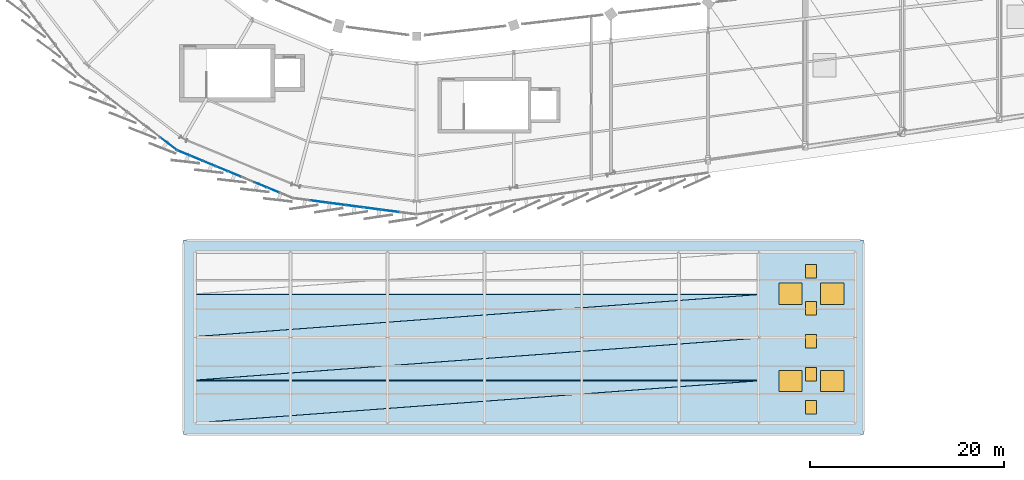
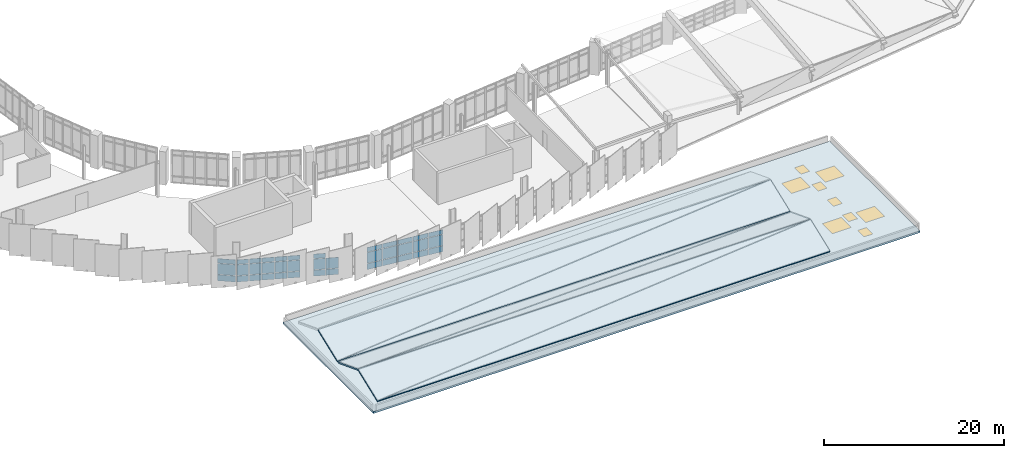
# One storey, part 45 of 67: 38 plates, 7 slabs, 5 doors, 4 windows, 9 openings, 3 elements without a shape of their own.
"""IFC4 building model written with IfcOpenShell, lengths in metres."""

from ifc_helpers import new_model, si_unit, direction, frame, origin, origin_2d, place, context, subcontext, project, spatial, polyline, rectangle, outline, extrude, material, layer, layer_set, type_object, element, fill, aggregate, save


model = new_model("IFC4")

# Units and contexts
model_context = context("Model", 3, precision=1e-05, world=origin(), true_north=direction((0.0, 1.0)))
body_context = subcontext(model_context, "Body", "Model", "MODEL_VIEW")
ifc_project = project(units=[si_unit("LENGTHUNIT", "METRE"), si_unit("AREAUNIT", "SQUARE_METRE"), si_unit("VOLUMEUNIT", "CUBIC_METRE"), si_unit("PLANEANGLEUNIT", "RADIAN"), si_unit("MASSUNIT", "GRAM", prefix="KILO")], contexts=[model_context])

# Site, building, storey
site_placement = place(None, origin())
site = spatial("IfcSite", under=ifc_project, at=site_placement, CompositionType="ELEMENT")
building_placement = place(site_placement, origin())
building = spatial("IfcBuilding", under=site, at=building_placement, Name="Sohan Crest Arena", CompositionType="ELEMENT")
storey_placement = place(building_placement, frame((0.0, 0.0, 22.5)))
storey = spatial("IfcBuildingStorey", under=building, at=storey_placement, Name="L05", CompositionType="ELEMENT", Elevation=22.5)

# Curtain wall, plates
ifc_material_1 = material(Name="Thermally broken anodised aluminium", Category="aluminium")
ifc_layer_1 = layer(ifc_material_1, 0.239990234375, Name="Thermally broken anodised aluminium")
ifc_layer_set_1 = layer_set([ifc_layer_1], Name="Thermally broken anodised aluminium")
curtain_wall_type_1 = type_object("IfcCurtainWallType", Name="ARC-CW04", PredefinedType="NOTDEFINED", material=ifc_layer_set_1)
curtain_wall_1_placement = place(storey_placement, origin())
curtain_wall_1 = element("IfcCurtainWall", 1, at=curtain_wall_1_placement, inside=storey, type_object=curtain_wall_type_1, Name="Unitised curtain wall CW-155", PredefinedType="NOTDEFINED")
ifc_material_2 = material(Name="Low-E double-glazed insulated glass", Category="glass")
ifc_layer_2 = layer(ifc_material_2, 0.031982421875, Name="Low-E double-glazed insulated glass")
ifc_layer_set_2 = layer_set([ifc_layer_2], Name="Low-E double-glazed insulated glass")
plate_type_1 = type_object("IfcPlateType", Name="ARC-CNP02", PredefinedType="CURTAIN_PANEL", material=ifc_layer_set_2)
plate_1_placement = place(storey_placement, frame((72.46044921875, 35.92529296875, 0.06005859375), z_axis=(0.0, 0.0, 1.0), x_axis=(0.793385172815, -0.60871994181, 0.0)))
plate_1 = element("IfcPlate", 2, at=plate_1_placement, type_object=plate_type_1, Name="CW-155 panel 6.1", PredefinedType="CURTAIN_PANEL", context=body_context, shape_type="SweptSolid", body=[
    extrude(rectangle(XDim=2.049560546875, YDim=0.031982421875, at=origin_2d()), origin(), (0.0, 0.0, 1.0), 0.81005859375),
])
plate_2_placement = place(storey_placement, frame((72.46044921875, 35.92529296875, 0.929931640625), z_axis=(0.0, 0.0, 1.0), x_axis=(0.793385172815, -0.60871994181, 0.0)))
plate_2 = element("IfcPlate", 3, at=plate_2_placement, type_object=plate_type_1, Name="CW-155 panel 6.2", PredefinedType="CURTAIN_PANEL", context=body_context, shape_type="SweptSolid", body=[
    extrude(rectangle(XDim=2.049560546875, YDim=0.031982421875, at=origin_2d()), origin(), (0.0, 0.0, 1.0), 1.4599609375),
])
plate_3_placement = place(storey_placement, frame((72.46044921875, 35.92529296875, 2.44970703125), z_axis=(0.0, 0.0, 1.0), x_axis=(0.793385172815, -0.60871994181, 0.0)))
plate_3 = element("IfcPlate", 4, at=plate_3_placement, type_object=plate_type_1, Name="CW-155 panel 6.3", PredefinedType="CURTAIN_PANEL", context=body_context, shape_type="SweptSolid", body=[
    extrude(rectangle(XDim=2.049560546875, YDim=0.031982421875, at=origin_2d()), origin(), (0.0, 0.0, 1.0), 0.610107421875),
])
aggregate(curtain_wall_1, [plate_1, plate_2, plate_3])

ifc_layer_3 = layer(ifc_material_1, 0.18994140625, Name="Thermally broken anodised aluminium")
ifc_layer_set_3 = layer_set([ifc_layer_3], Name="Thermally broken anodised aluminium")
curtain_wall_type_2 = type_object("IfcCurtainWallType", Name="ARC-CW05", PredefinedType="NOTDEFINED", material=ifc_layer_set_3)
curtain_wall_2_placement = place(storey_placement, origin())
curtain_wall_2 = element("IfcCurtainWall", 5, at=curtain_wall_2_placement, inside=storey, type_object=curtain_wall_type_2, Name="Unitised curtain wall CW-156", PredefinedType="NOTDEFINED")
ifc_material_3 = material(Name="Ceramic-fritted solar-control insulated glass", Category="glass")
ifc_layer_4 = layer(ifc_material_3, 0.035888671875, Name="Ceramic-fritted solar-control insulated glass")
ifc_layer_set_4 = layer_set([ifc_layer_4], Name="Ceramic-fritted solar-control insulated glass")
plate_type_2 = type_object("IfcPlateType", Name="ARC-CNP03", PredefinedType="CURTAIN_PANEL", material=ifc_layer_set_4)
plate_4_placement = place(storey_placement, frame((74.00244140625, 34.9814453125, 0.06494140625), z_axis=(0.0, 0.0, 1.0), x_axis=(0.923878704229, -0.382685432009, 0.0)))
plate_4 = element("IfcPlate", 6, at=plate_4_placement, type_object=plate_type_2, Name="CW-156 panel 1.1", PredefinedType="CURTAIN_PANEL", context=body_context, shape_type="SweptSolid", body=[
    extrude(rectangle(XDim=1.326416015625, YDim=0.035888671875, at=origin_2d()), origin(), (0.0, 0.0, 1.0), 0.802490234375),
])
plate_5_placement = place(storey_placement, frame((74.00244140625, 34.9814453125, 0.932373046875), z_axis=(0.0, 0.0, 1.0), x_axis=(0.923878704229, -0.382685432009, 0.0)))
plate_5 = element("IfcPlate", 7, at=plate_5_placement, type_object=plate_type_2, Name="CW-156 panel 1.2", PredefinedType="CURTAIN_PANEL", context=body_context, shape_type="SweptSolid", body=[
    extrude(rectangle(XDim=1.326416015625, YDim=0.035888671875, at=origin_2d()), origin(), (0.0, 0.0, 1.0), 1.455078125),
])
plate_6_placement = place(storey_placement, frame((74.00244140625, 34.9814453125, 2.452392578125), z_axis=(0.0, 0.0, 1.0), x_axis=(0.923878704229, -0.382685432009, 0.0)))
plate_6 = element("IfcPlate", 8, at=plate_6_placement, type_object=plate_type_2, Name="CW-156 panel 1.3", PredefinedType="CURTAIN_PANEL", context=body_context, shape_type="SweptSolid", body=[
    extrude(rectangle(XDim=1.326416015625, YDim=0.035888671875, at=origin_2d()), origin(), (0.0, 0.0, 1.0), 0.6025390625),
])
plate_7_placement = place(storey_placement, frame((75.30859375, 34.4404296875, 0.06494140625), z_axis=(0.0, 0.0, 1.0), x_axis=(0.923878704229, -0.382685432009, 0.0)))
plate_7 = element("IfcPlate", 9, at=plate_7_placement, type_object=plate_type_2, Name="CW-156 panel 2.1", PredefinedType="CURTAIN_PANEL", context=body_context, shape_type="SweptSolid", body=[
    extrude(rectangle(XDim=1.361328125, YDim=0.035888671875, at=origin_2d()), origin(), (0.0, 0.0, 1.0), 0.802490234375),
])
plate_8_placement = place(storey_placement, frame((75.30859375, 34.4404296875, 0.932373046875), z_axis=(0.0, 0.0, 1.0), x_axis=(0.923878704229, -0.382685432009, 0.0)))
plate_8 = element("IfcPlate", 10, at=plate_8_placement, type_object=plate_type_2, Name="CW-156 panel 2.2", PredefinedType="CURTAIN_PANEL", context=body_context, shape_type="SweptSolid", body=[
    extrude(rectangle(XDim=1.361328125, YDim=0.035888671875, at=origin_2d()), origin(), (0.0, 0.0, 1.0), 1.455078125),
])
plate_9_placement = place(storey_placement, frame((75.30859375, 34.4404296875, 2.452392578125), z_axis=(0.0, 0.0, 1.0), x_axis=(0.923878704229, -0.382685432009, 0.0)))
plate_9 = element("IfcPlate", 11, at=plate_9_placement, type_object=plate_type_2, Name="CW-156 panel 2.3", PredefinedType="CURTAIN_PANEL", context=body_context, shape_type="SweptSolid", body=[
    extrude(rectangle(XDim=1.361328125, YDim=0.035888671875, at=origin_2d()), origin(), (0.0, 0.0, 1.0), 0.6025390625),
])
plate_10_placement = place(storey_placement, frame((76.631103515625, 33.892578125, 0.06494140625), z_axis=(0.0, 0.0, 1.0), x_axis=(0.923878704229, -0.382685432009, 0.0)))
plate_10 = element("IfcPlate", 12, at=plate_10_placement, type_object=plate_type_2, Name="CW-156 panel 3.1", PredefinedType="CURTAIN_PANEL", context=body_context, shape_type="SweptSolid", body=[
    extrude(rectangle(XDim=1.361328125, YDim=0.035888671875, at=origin_2d()), origin(), (0.0, 0.0, 1.0), 0.802490234375),
])
plate_11_placement = place(storey_placement, frame((76.631103515625, 33.892578125, 0.932373046875), z_axis=(0.0, 0.0, 1.0), x_axis=(0.923878704229, -0.382685432009, 0.0)))
plate_11 = element("IfcPlate", 13, at=plate_11_placement, type_object=plate_type_2, Name="CW-156 panel 3.2", PredefinedType="CURTAIN_PANEL", context=body_context, shape_type="SweptSolid", body=[
    extrude(rectangle(XDim=1.361328125, YDim=0.035888671875, at=origin_2d()), origin(), (0.0, 0.0, 1.0), 1.455078125),
])
plate_12_placement = place(storey_placement, frame((76.631103515625, 33.892578125, 2.452392578125), z_axis=(0.0, 0.0, 1.0), x_axis=(0.923878704229, -0.382685432009, 0.0)))
plate_12 = element("IfcPlate", 14, at=plate_12_placement, type_object=plate_type_2, Name="CW-156 panel 3.3", PredefinedType="CURTAIN_PANEL", context=body_context, shape_type="SweptSolid", body=[
    extrude(rectangle(XDim=1.361328125, YDim=0.035888671875, at=origin_2d()), origin(), (0.0, 0.0, 1.0), 0.6025390625),
])
plate_13_placement = place(storey_placement, frame((77.95361328125, 33.3447265625, 0.06494140625), z_axis=(0.0, 0.0, 1.0), x_axis=(0.923878704229, -0.382685432009, 0.0)))
plate_13 = element("IfcPlate", 15, at=plate_13_placement, type_object=plate_type_2, Name="CW-156 panel 4.1", PredefinedType="CURTAIN_PANEL", context=body_context, shape_type="SweptSolid", body=[
    extrude(rectangle(XDim=1.361328125, YDim=0.035888671875, at=origin_2d()), origin(), (0.0, 0.0, 1.0), 0.802490234375),
])
plate_14_placement = place(storey_placement, frame((77.95361328125, 33.3447265625, 0.932373046875), z_axis=(0.0, 0.0, 1.0), x_axis=(0.923878704229, -0.382685432009, 0.0)))
plate_14 = element("IfcPlate", 16, at=plate_14_placement, type_object=plate_type_2, Name="CW-156 panel 4.2", PredefinedType="CURTAIN_PANEL", context=body_context, shape_type="SweptSolid", body=[
    extrude(rectangle(XDim=1.361328125, YDim=0.035888671875, at=origin_2d()), origin(), (0.0, 0.0, 1.0), 1.455078125),
])
plate_15_placement = place(storey_placement, frame((77.95361328125, 33.3447265625, 2.452392578125), z_axis=(0.0, 0.0, 1.0), x_axis=(0.923878704229, -0.382685432009, 0.0)))
plate_15 = element("IfcPlate", 17, at=plate_15_placement, type_object=plate_type_2, Name="CW-156 panel 4.3", PredefinedType="CURTAIN_PANEL", context=body_context, shape_type="SweptSolid", body=[
    extrude(rectangle(XDim=1.361328125, YDim=0.035888671875, at=origin_2d()), origin(), (0.0, 0.0, 1.0), 0.6025390625),
])
plate_16_placement = place(storey_placement, frame((79.27587890625, 32.797119140625, 0.06494140625), z_axis=(0.0, 0.0, 1.0), x_axis=(0.923878704229, -0.382685432009, 0.0)))
plate_16 = element("IfcPlate", 18, at=plate_16_placement, type_object=plate_type_2, Name="CW-156 panel 5.1", PredefinedType="CURTAIN_PANEL", context=body_context, shape_type="SweptSolid", body=[
    extrude(rectangle(XDim=1.361328125, YDim=0.035888671875, at=origin_2d()), origin(), (0.0, 0.0, 1.0), 0.802490234375),
])
plate_17_placement = place(storey_placement, frame((79.27587890625, 32.797119140625, 0.932373046875), z_axis=(0.0, 0.0, 1.0), x_axis=(0.923878704229, -0.382685432009, 0.0)))
plate_17 = element("IfcPlate", 19, at=plate_17_placement, type_object=plate_type_2, Name="CW-156 panel 5.2", PredefinedType="CURTAIN_PANEL", context=body_context, shape_type="SweptSolid", body=[
    extrude(rectangle(XDim=1.361328125, YDim=0.035888671875, at=origin_2d()), origin(), (0.0, 0.0, 1.0), 1.455078125),
])
plate_18_placement = place(storey_placement, frame((79.27587890625, 32.797119140625, 2.452392578125), z_axis=(0.0, 0.0, 1.0), x_axis=(0.923878704229, -0.382685432009, 0.0)))
plate_18 = element("IfcPlate", 20, at=plate_18_placement, type_object=plate_type_2, Name="CW-156 panel 5.3", PredefinedType="CURTAIN_PANEL", context=body_context, shape_type="SweptSolid", body=[
    extrude(rectangle(XDim=1.361328125, YDim=0.035888671875, at=origin_2d()), origin(), (0.0, 0.0, 1.0), 0.6025390625),
])
plate_19_placement = place(storey_placement, frame((81.9208984375, 31.701416015625, 0.06494140625), z_axis=(0.0, 0.0, 1.0), x_axis=(0.923878704229, -0.382685432009, 0.0)))
plate_19 = element("IfcPlate", 21, at=plate_19_placement, type_object=plate_type_2, Name="CW-156 panel 7.1", PredefinedType="CURTAIN_PANEL", context=body_context, shape_type="SweptSolid", body=[
    extrude(rectangle(XDim=1.361328125, YDim=0.035888671875, at=origin_2d()), origin(), (0.0, 0.0, 1.0), 0.802490234375),
])
plate_20_placement = place(storey_placement, frame((81.9208984375, 31.701416015625, 0.932373046875), z_axis=(0.0, 0.0, 1.0), x_axis=(0.923878704229, -0.382685432009, 0.0)))
plate_20 = element("IfcPlate", 22, at=plate_20_placement, type_object=plate_type_2, Name="CW-156 panel 7.2", PredefinedType="CURTAIN_PANEL", context=body_context, shape_type="SweptSolid", body=[
    extrude(rectangle(XDim=1.361328125, YDim=0.035888671875, at=origin_2d()), origin(), (0.0, 0.0, 1.0), 1.455078125),
])
plate_21_placement = place(storey_placement, frame((81.9208984375, 31.701416015625, 2.452392578125), z_axis=(0.0, 0.0, 1.0), x_axis=(0.923878704229, -0.382685432009, 0.0)))
plate_21 = element("IfcPlate", 23, at=plate_21_placement, type_object=plate_type_2, Name="CW-156 panel 7.3", PredefinedType="CURTAIN_PANEL", context=body_context, shape_type="SweptSolid", body=[
    extrude(rectangle(XDim=1.361328125, YDim=0.035888671875, at=origin_2d()), origin(), (0.0, 0.0, 1.0), 0.6025390625),
])
plate_22_placement = place(storey_placement, frame((83.243408203125, 31.153564453125, 0.06494140625), z_axis=(0.0, 0.0, 1.0), x_axis=(0.923878704229, -0.382685432009, 0.0)))
plate_22 = element("IfcPlate", 24, at=plate_22_placement, type_object=plate_type_2, Name="CW-156 panel 8.1", PredefinedType="CURTAIN_PANEL", context=body_context, shape_type="SweptSolid", body=[
    extrude(rectangle(XDim=1.361328125, YDim=0.035888671875, at=origin_2d()), origin(), (0.0, 0.0, 1.0), 0.802490234375),
])
plate_23_placement = place(storey_placement, frame((83.243408203125, 31.153564453125, 0.932373046875), z_axis=(0.0, 0.0, 1.0), x_axis=(0.923878704229, -0.382685432009, 0.0)))
plate_23 = element("IfcPlate", 25, at=plate_23_placement, type_object=plate_type_2, Name="CW-156 panel 8.2", PredefinedType="CURTAIN_PANEL", context=body_context, shape_type="SweptSolid", body=[
    extrude(rectangle(XDim=1.361328125, YDim=0.035888671875, at=origin_2d()), origin(), (0.0, 0.0, 1.0), 1.455078125),
])
aggregate(curtain_wall_2, [plate_4, plate_5, plate_6, plate_7, plate_8, plate_9, plate_10, plate_11, plate_12, plate_13, plate_14, plate_15, plate_16, plate_17, plate_18, plate_19, plate_20, plate_21, plate_22, plate_23])

ifc_layer_5 = layer(ifc_material_1, 0.2099609375, Name="Thermally broken anodised aluminium")
ifc_layer_set_5 = layer_set([ifc_layer_5], Name="Thermally broken anodised aluminium")
curtain_wall_type_3 = type_object("IfcCurtainWallType", Name="ARC-CW06", PredefinedType="NOTDEFINED", material=ifc_layer_set_5)
curtain_wall_3_placement = place(storey_placement, origin())
curtain_wall_3 = element("IfcCurtainWall", 26, at=curtain_wall_3_placement, inside=storey, type_object=curtain_wall_type_3, Name="Unitised curtain wall CW-157", PredefinedType="NOTDEFINED")
ifc_material_4 = material(Name="Insulated polychrome ceramic spandrel panel", Category="masonry")
ifc_layer_6 = layer(ifc_material_4, 0.0419921875, Name="Insulated polychrome ceramic spandrel panel")
ifc_layer_set_6 = layer_set([ifc_layer_6], Name="Insulated polychrome ceramic spandrel panel")
plate_type_3 = type_object("IfcPlateType", Name="ARC-CNP04", PredefinedType="CURTAIN_PANEL", material=ifc_layer_set_6)
plate_24_placement = place(storey_placement, frame((87.964111328125, 29.9716796875, 0.070068359375), z_axis=(0.0, 0.0, 1.0), x_axis=(0.991440816386, -0.130556913275, 0.0)))
plate_24 = element("IfcPlate", 27, at=plate_24_placement, type_object=plate_type_3, Name="CW-157 panel 2.1", PredefinedType="CURTAIN_PANEL", context=body_context, shape_type="SweptSolid", body=[
    extrude(rectangle(XDim=1.765380859375, YDim=0.0419921875, at=origin_2d()), origin(), (0.0, 0.0, 1.0), 0.794921875),
])
plate_25_placement = place(storey_placement, frame((87.964111328125, 29.9716796875, 0.93505859375), z_axis=(0.0, 0.0, 1.0), x_axis=(0.991440816386, -0.130556913275, 0.0)))
plate_25 = element("IfcPlate", 28, at=plate_25_placement, type_object=plate_type_3, Name="CW-157 panel 2.2", PredefinedType="CURTAIN_PANEL", context=body_context, shape_type="SweptSolid", body=[
    extrude(rectangle(XDim=1.765380859375, YDim=0.0419921875, at=origin_2d()), origin(), (0.0, 0.0, 1.0), 1.449951171875),
])
plate_26_placement = place(storey_placement, frame((87.964111328125, 29.9716796875, 2.455078125), z_axis=(0.0, 0.0, 1.0), x_axis=(0.991440816386, -0.130556913275, 0.0)))
plate_26 = element("IfcPlate", 29, at=plate_26_placement, type_object=plate_type_3, Name="CW-157 panel 2.3", PredefinedType="CURTAIN_PANEL", context=body_context, shape_type="SweptSolid", body=[
    extrude(rectangle(XDim=1.765380859375, YDim=0.0419921875, at=origin_2d()), origin(), (0.0, 0.0, 1.0), 0.594970703125),
])
plate_27_placement = place(storey_placement, frame((89.788818359375, 29.731201171875, 0.070068359375), z_axis=(0.0, 0.0, 1.0), x_axis=(0.991440816386, -0.130556913275, 0.0)))
plate_27 = element("IfcPlate", 30, at=plate_27_placement, type_object=plate_type_3, Name="CW-157 panel 3.1", PredefinedType="CURTAIN_PANEL", context=body_context, shape_type="SweptSolid", body=[
    extrude(rectangle(XDim=1.765380859375, YDim=0.0419921875, at=origin_2d()), origin(), (0.0, 0.0, 1.0), 0.794921875),
])
plate_28_placement = place(storey_placement, frame((89.788818359375, 29.731201171875, 0.93505859375), z_axis=(0.0, 0.0, 1.0), x_axis=(0.991440816386, -0.130556913275, 0.0)))
plate_28 = element("IfcPlate", 31, at=plate_28_placement, type_object=plate_type_3, Name="CW-157 panel 3.2", PredefinedType="CURTAIN_PANEL", context=body_context, shape_type="SweptSolid", body=[
    extrude(rectangle(XDim=1.765380859375, YDim=0.0419921875, at=origin_2d()), origin(), (0.0, 0.0, 1.0), 1.449951171875),
])
plate_29_placement = place(storey_placement, frame((89.788818359375, 29.731201171875, 2.455078125), z_axis=(0.0, 0.0, 1.0), x_axis=(0.991440816386, -0.130556913275, 0.0)))
plate_29 = element("IfcPlate", 32, at=plate_29_placement, type_object=plate_type_3, Name="CW-157 panel 3.3", PredefinedType="CURTAIN_PANEL", context=body_context, shape_type="SweptSolid", body=[
    extrude(rectangle(XDim=1.765380859375, YDim=0.0419921875, at=origin_2d()), origin(), (0.0, 0.0, 1.0), 0.594970703125),
])
plate_30_placement = place(storey_placement, frame((91.613525390625, 29.490966796875, 0.070068359375), z_axis=(0.0, 0.0, 1.0), x_axis=(0.991440816386, -0.130556913275, 0.0)))
plate_30 = element("IfcPlate", 33, at=plate_30_placement, type_object=plate_type_3, Name="CW-157 panel 4.1", PredefinedType="CURTAIN_PANEL", context=body_context, shape_type="SweptSolid", body=[
    extrude(rectangle(XDim=1.765380859375, YDim=0.0419921875, at=origin_2d()), origin(), (0.0, 0.0, 1.0), 0.794921875),
])
plate_31_placement = place(storey_placement, frame((91.613525390625, 29.490966796875, 0.93505859375), z_axis=(0.0, 0.0, 1.0), x_axis=(0.991440816386, -0.130556913275, 0.0)))
plate_31 = element("IfcPlate", 34, at=plate_31_placement, type_object=plate_type_3, Name="CW-157 panel 4.2", PredefinedType="CURTAIN_PANEL", context=body_context, shape_type="SweptSolid", body=[
    extrude(rectangle(XDim=1.765380859375, YDim=0.0419921875, at=origin_2d()), origin(), (0.0, 0.0, 1.0), 1.449951171875),
])
plate_32_placement = place(storey_placement, frame((91.613525390625, 29.490966796875, 2.455078125), z_axis=(0.0, 0.0, 1.0), x_axis=(0.991440816386, -0.130556913275, 0.0)))
plate_32 = element("IfcPlate", 35, at=plate_32_placement, type_object=plate_type_3, Name="CW-157 panel 4.3", PredefinedType="CURTAIN_PANEL", context=body_context, shape_type="SweptSolid", body=[
    extrude(rectangle(XDim=1.765380859375, YDim=0.0419921875, at=origin_2d()), origin(), (0.0, 0.0, 1.0), 0.594970703125),
])
plate_33_placement = place(storey_placement, frame((93.438232421875, 29.250732421875, 0.070068359375), z_axis=(0.0, 0.0, 1.0), x_axis=(0.991440816386, -0.130556913275, 0.0)))
plate_33 = element("IfcPlate", 36, at=plate_33_placement, type_object=plate_type_3, Name="CW-157 panel 5.1", PredefinedType="CURTAIN_PANEL", context=body_context, shape_type="SweptSolid", body=[
    extrude(rectangle(XDim=1.765380859375, YDim=0.0419921875, at=origin_2d()), origin(), (0.0, 0.0, 1.0), 0.794921875),
])
plate_34_placement = place(storey_placement, frame((93.438232421875, 29.250732421875, 0.93505859375), z_axis=(0.0, 0.0, 1.0), x_axis=(0.991440816386, -0.130556913275, 0.0)))
plate_34 = element("IfcPlate", 37, at=plate_34_placement, type_object=plate_type_3, Name="CW-157 panel 5.2", PredefinedType="CURTAIN_PANEL", context=body_context, shape_type="SweptSolid", body=[
    extrude(rectangle(XDim=1.765380859375, YDim=0.0419921875, at=origin_2d()), origin(), (0.0, 0.0, 1.0), 1.449951171875),
])
plate_35_placement = place(storey_placement, frame((93.438232421875, 29.250732421875, 2.455078125), z_axis=(0.0, 0.0, 1.0), x_axis=(0.991440816386, -0.130556913275, 0.0)))
plate_35 = element("IfcPlate", 38, at=plate_35_placement, type_object=plate_type_3, Name="CW-157 panel 5.3", PredefinedType="CURTAIN_PANEL", context=body_context, shape_type="SweptSolid", body=[
    extrude(rectangle(XDim=1.765380859375, YDim=0.0419921875, at=origin_2d()), origin(), (0.0, 0.0, 1.0), 0.594970703125),
])
plate_36_placement = place(storey_placement, frame((95.262939453125, 29.010498046875, 0.070068359375), z_axis=(0.0, 0.0, 1.0), x_axis=(0.991440816386, -0.130556913275, 0.0)))
plate_36 = element("IfcPlate", 39, at=plate_36_placement, type_object=plate_type_3, Name="CW-157 panel 6.1", PredefinedType="CURTAIN_PANEL", context=body_context, shape_type="SweptSolid", body=[
    extrude(rectangle(XDim=1.765380859375, YDim=0.0419921875, at=origin_2d()), origin(), (0.0, 0.0, 1.0), 0.794921875),
])
plate_37_placement = place(storey_placement, frame((95.262939453125, 29.010498046875, 0.93505859375), z_axis=(0.0, 0.0, 1.0), x_axis=(0.991440816386, -0.130556913275, 0.0)))
plate_37 = element("IfcPlate", 40, at=plate_37_placement, type_object=plate_type_3, Name="CW-157 panel 6.2", PredefinedType="CURTAIN_PANEL", context=body_context, shape_type="SweptSolid", body=[
    extrude(rectangle(XDim=1.765380859375, YDim=0.0419921875, at=origin_2d()), origin(), (0.0, 0.0, 1.0), 1.449951171875),
])
plate_38_placement = place(storey_placement, frame((95.262939453125, 29.010498046875, 2.455078125), z_axis=(0.0, 0.0, 1.0), x_axis=(0.991440816386, -0.130556913275, 0.0)))
plate_38 = element("IfcPlate", 41, at=plate_38_placement, type_object=plate_type_3, Name="CW-157 panel 6.3", PredefinedType="CURTAIN_PANEL", context=body_context, shape_type="SweptSolid", body=[
    extrude(rectangle(XDim=1.765380859375, YDim=0.0419921875, at=origin_2d()), origin(), (0.0, 0.0, 1.0), 0.594970703125),
])
aggregate(curtain_wall_3, [plate_24, plate_25, plate_26, plate_27, plate_28, plate_29, plate_30, plate_31, plate_32, plate_33, plate_34, plate_35, plate_36, plate_37, plate_38])

# Slabs
ifc_material_5 = material(Name="Concrete C40/50", Category="concrete")
ifc_layer_7 = layer(ifc_material_5, 0.175048828125, Name="Concrete C40/50")
ifc_layer_set_7 = layer_set([ifc_layer_7], Name="Concrete C40/50")
slab_type_1 = type_object("IfcSlabType", Name="SL-RF01", PredefinedType="ROOF", material=ifc_layer_set_7)
slab_1_placement = place(storey_placement, frame((75.277099609375, 7.202880859375, 0.2958984375), z_axis=(0.0, -0.358996767836, 0.933338802731), x_axis=(1.0, 0.0, 0.0)))
element("IfcSlab", 42, at=slab_1_placement, inside=storey, type_object=slab_type_1, Name="Sloped roof deck panel RF-SL-145", PredefinedType="ROOF", context=body_context, shape_type="SweptSolid", body=[
    extrude(outline(polyline([(0.0, 0.0), (57.8837890625, 0.0), (57.8837890625, 4.624432303409632), (0.0, 0.0)])), origin(), (0.0, 0.0, -1.0), 0.175048828125),
])
slab_2_placement = place(storey_placement, frame((75.239013671875, 7.2060546875, 0.2958984375), z_axis=(0.0, -0.359014457977, 0.933331998253), x_axis=(0.996824195237, 0.074324666369, 0.028589644265)))
element("IfcSlab", 43, at=slab_2_placement, inside=storey, type_object=slab_type_1, Name="Sloped roof deck panel RF-SL-146", PredefinedType="ROOF", context=body_context, shape_type="SweptSolid", body=[
    extrude(outline(polyline([(0.0, 0.0), (58.06844725449331, 9.992007221626409e-16), (0.3682424397139113, 4.609518867841495), (0.0, 0.0)])), origin(), (0.0, 0.0, -1.0), 0.175048828125),
])
slab_3_placement = place(storey_placement, frame((75.277099609375, 11.597900390625, 1.9560546875), z_axis=(0.0, 0.358996767836, 0.933338802731), x_axis=(1.0, 0.0, 0.0)))
element("IfcSlab", 44, at=slab_3_placement, inside=storey, type_object=slab_type_1, Name="Sloped roof deck panel RF-SL-147", PredefinedType="ROOF", context=body_context, shape_type="SweptSolid", body=[
    extrude(outline(polyline([(0.0, 0.0), (57.8837890625, 0.0), (57.8837890625, 4.624432303409632), (0.0, 0.0)])), origin(), (0.0, 0.0, -1.0), 0.175048828125),
])
slab_4_placement = place(storey_placement, frame((75.239013671875, 11.60107421875, 1.9560546875), z_axis=(0.0, 0.359014457977, 0.933331998253), x_axis=(0.996824195237, 0.074324666369, -0.028589644265)))
element("IfcSlab", 45, at=slab_4_placement, inside=storey, type_object=slab_type_1, Name="Sloped roof deck panel RF-SL-148", PredefinedType="ROOF", context=body_context, shape_type="SweptSolid", body=[
    extrude(outline(polyline([(0.0, 0.0), (58.06844725449331, 9.992007221626409e-16), (0.3682424397139113, 4.609518867841495), (0.0, 0.0)])), origin(), (0.0, 0.0, -1.0), 0.175048828125),
])
slab_5_placement = place(storey_placement, frame((75.277099609375, 16.0830078125, 0.2958984375), z_axis=(0.0, -0.359014457977, 0.933331998253), x_axis=(1.0, 0.0, 0.0)))
element("IfcSlab", 46, at=slab_5_placement, inside=storey, type_object=slab_type_1, Name="Sloped roof deck panel RF-SL-149", PredefinedType="ROOF", context=body_context, shape_type="SweptSolid", body=[
    extrude(outline(polyline([(0.0, 0.0), (57.8837890625, 0.0), (57.8837890625, 4.6242044383216), (0.0, 0.0)])), origin(), (0.0, 0.0, -1.0), 0.175048828125),
])
slab_6_placement = place(storey_placement, frame((75.239013671875, 16.0859375, 0.2958984375), z_axis=(0.0, -0.358996767836, 0.933338802731), x_axis=(0.996823883733, 0.074328847501, 0.02858963533)))
element("IfcSlab", 47, at=slab_6_placement, inside=storey, type_object=slab_type_1, Name="Sloped roof deck panel RF-SL-150", PredefinedType="ROOF", context=body_context, shape_type="SweptSolid", body=[
    extrude(outline(polyline([(0.0, 0.0), (58.06846540067419, 7.771561172376096e-16), (0.3682786169956236, 4.609744568745898), (0.0, 0.0)])), origin(), (0.0, 0.0, -1.0), 0.175048828125),
])

# Slab, openings, doors, windows
ifc_layer_8 = layer(ifc_material_5, 0.239990234375, Name="Concrete C40/50")
ifc_layer_set_8 = layer_set([ifc_layer_8], Name="Concrete C40/50")
slab_type_2 = type_object("IfcSlabType", Name="SL-RF04", PredefinedType="ROOF", material=ifc_layer_set_8)
slab_7_placement = place(storey_placement, frame((0.0, 0.0, -0.239990234375)))
slab_7 = element("IfcSlab", 48, at=slab_7_placement, inside=storey, type_object=slab_type_2, Name="BOH wing L05 roof slab RF-V5", PredefinedType="ROOF", context=body_context, shape_type="SweptSolid", body=[
    extrude(outline(polyline([(74.0, 6.0), (144.0, 6.0), (144.0, 26.0), (74.0, 26.0), (74.0, 6.0)])), origin(), (0.0, 0.0, 1.0), 0.239990234375),
])
opening_1_placement = place(slab_7_placement, frame((136.5, 11.5, 0.0)))
opening_1 = element("IfcOpeningElement", 49, at=opening_1_placement, cuts=slab_7, Name="Opening SK-09", PredefinedType="OPENING", context=body_context, shape_type="SweptSolid", body=[
    extrude(rectangle(XDim=2.39990234375, YDim=2.199951171875, at=origin_2d()), origin(), (0.0, 0.0, 1.0), 0.239990234375),
])
opening_2_placement = place(slab_7_placement, frame((136.5, 20.5, 0.0)))
opening_2 = element("IfcOpeningElement", 50, at=opening_2_placement, cuts=slab_7, Name="Opening SK-10", PredefinedType="OPENING", context=body_context, shape_type="SweptSolid", body=[
    extrude(rectangle(XDim=2.39990234375, YDim=2.199951171875, at=origin_2d()), origin(), (0.0, 0.0, 1.0), 0.239990234375),
])
opening_3_placement = place(slab_7_placement, frame((140.800048828125, 11.5, 0.0)))
opening_3 = element("IfcOpeningElement", 51, at=opening_3_placement, cuts=slab_7, Name="Opening SK-11", PredefinedType="OPENING", context=body_context, shape_type="SweptSolid", body=[
    extrude(rectangle(XDim=2.39990234375, YDim=2.199951171875, at=origin_2d()), origin(), (0.0, 0.0, 1.0), 0.239990234375),
])
opening_4_placement = place(slab_7_placement, frame((140.800048828125, 20.5, 0.0)))
opening_4 = element("IfcOpeningElement", 52, at=opening_4_placement, cuts=slab_7, Name="Opening SK-12", PredefinedType="OPENING", context=body_context, shape_type="SweptSolid", body=[
    extrude(rectangle(XDim=2.39990234375, YDim=2.199951171875, at=origin_2d()), origin(), (0.0, 0.0, 1.0), 0.239990234375),
])
opening_5_placement = place(slab_7_placement, frame((138.60009765625, 8.800048828125, 0.0)))
opening_5 = element("IfcOpeningElement", 53, at=opening_5_placement, cuts=slab_7, Name="Opening RH-02", PredefinedType="OPENING", context=body_context, shape_type="SweptSolid", body=[
    extrude(rectangle(XDim=1.10009765625, YDim=1.39990234375, at=origin_2d()), origin(), (0.0, 0.0, 1.0), 0.239990234375),
])
opening_6_placement = place(slab_7_placement, frame((138.60009765625, 12.199951171875, 0.0)))
opening_6 = element("IfcOpeningElement", 54, at=opening_6_placement, cuts=slab_7, Name="Opening RH-03", PredefinedType="OPENING", context=body_context, shape_type="SweptSolid", body=[
    extrude(rectangle(XDim=1.10009765625, YDim=1.39990234375, at=origin_2d()), origin(), (0.0, 0.0, 1.0), 0.239990234375),
])
opening_7_placement = place(slab_7_placement, frame((138.60009765625, 15.60009765625, 0.0)))
opening_7 = element("IfcOpeningElement", 55, at=opening_7_placement, cuts=slab_7, Name="Opening RH-04", PredefinedType="OPENING", context=body_context, shape_type="SweptSolid", body=[
    extrude(rectangle(XDim=1.10009765625, YDim=1.39990234375, at=origin_2d()), origin(), (0.0, 0.0, 1.0), 0.239990234375),
])
opening_8_placement = place(slab_7_placement, frame((138.60009765625, 19.0, 0.0)))
opening_8 = element("IfcOpeningElement", 56, at=opening_8_placement, cuts=slab_7, Name="Opening RH-05", PredefinedType="OPENING", context=body_context, shape_type="SweptSolid", body=[
    extrude(rectangle(XDim=1.10009765625, YDim=1.39990234375, at=origin_2d()), origin(), (0.0, 0.0, 1.0), 0.239990234375),
])
opening_9_placement = place(slab_7_placement, frame((138.60009765625, 22.800048828125, 0.0)))
opening_9 = element("IfcOpeningElement", 57, at=opening_9_placement, cuts=slab_7, Name="Opening RH-06", PredefinedType="OPENING", context=body_context, shape_type="SweptSolid", body=[
    extrude(rectangle(XDim=1.10009765625, YDim=1.39990234375, at=origin_2d()), origin(), (0.0, 0.0, 1.0), 0.239990234375),
])
ifc_material_6 = material(Name="Insulated aluminium roof access hatch", Category="aluminium")
door_type = type_object("IfcDoorType", Name="DR-RH01", OperationType="SINGLE_SWING_LEFT", PredefinedType="TRAPDOOR", material=ifc_material_6)
door_1_placement = place(opening_5_placement, frame((0.0, 0.0, 0.18994140625)))
door_1 = element("IfcDoor", 58, at=door_1_placement, inside=storey, type_object=door_type, Name="BOH roof access hatch RH-02", OperationType="SINGLE_SWING_LEFT", OverallHeight=1.39990234375, OverallWidth=1.10009765625, PredefinedType="TRAPDOOR", context=body_context, shape_type="SweptSolid", body=[
    extrude(rectangle(XDim=1.10009765625, YDim=1.39990234375, at=origin_2d()), origin(), (0.0, 0.0, 1.0), 0.050048828125),
])
fill(opening_5, door_1)
door_2_placement = place(opening_6_placement, frame((0.0, 0.0, 0.18994140625)))
door_2 = element("IfcDoor", 59, at=door_2_placement, inside=storey, type_object=door_type, Name="BOH roof access hatch RH-03", OperationType="SINGLE_SWING_LEFT", OverallHeight=1.39990234375, OverallWidth=1.10009765625, PredefinedType="TRAPDOOR", context=body_context, shape_type="SweptSolid", body=[
    extrude(rectangle(XDim=1.10009765625, YDim=1.39990234375, at=origin_2d()), origin(), (0.0, 0.0, 1.0), 0.050048828125),
])
fill(opening_6, door_2)
door_3_placement = place(opening_7_placement, frame((0.0, 0.0, 0.18994140625)))
door_3 = element("IfcDoor", 60, at=door_3_placement, inside=storey, type_object=door_type, Name="BOH roof access hatch RH-04", OperationType="SINGLE_SWING_LEFT", OverallHeight=1.39990234375, OverallWidth=1.10009765625, PredefinedType="TRAPDOOR", context=body_context, shape_type="SweptSolid", body=[
    extrude(rectangle(XDim=1.10009765625, YDim=1.39990234375, at=origin_2d()), origin(), (0.0, 0.0, 1.0), 0.050048828125),
])
fill(opening_7, door_3)
door_4_placement = place(opening_8_placement, frame((0.0, 0.0, 0.18994140625)))
door_4 = element("IfcDoor", 61, at=door_4_placement, inside=storey, type_object=door_type, Name="BOH roof access hatch RH-05", OperationType="SINGLE_SWING_LEFT", OverallHeight=1.39990234375, OverallWidth=1.10009765625, PredefinedType="TRAPDOOR", context=body_context, shape_type="SweptSolid", body=[
    extrude(rectangle(XDim=1.10009765625, YDim=1.39990234375, at=origin_2d()), origin(), (0.0, 0.0, 1.0), 0.050048828125),
])
fill(opening_8, door_4)
door_5_placement = place(opening_9_placement, frame((0.0, 0.0, 0.18994140625)))
door_5 = element("IfcDoor", 62, at=door_5_placement, inside=storey, type_object=door_type, Name="BOH roof access hatch RH-06", OperationType="SINGLE_SWING_LEFT", OverallHeight=1.39990234375, OverallWidth=1.10009765625, PredefinedType="TRAPDOOR", context=body_context, shape_type="SweptSolid", body=[
    extrude(rectangle(XDim=1.10009765625, YDim=1.39990234375, at=origin_2d()), origin(), (0.0, 0.0, 1.0), 0.050048828125),
])
fill(opening_9, door_5)
window_type = type_object("IfcWindowType", Name="WIN-SK03", PartitioningType="SINGLE_PANEL", PredefinedType="SKYLIGHT", material=ifc_material_2)
window_1_placement = place(opening_1_placement, frame((0.0, 0.0, 0.18994140625)))
window_1 = element("IfcWindow", 63, at=window_1_placement, inside=storey, type_object=window_type, Name="BOH wing skylight SK-09", OverallHeight=2.199951171875, OverallWidth=2.39990234375, PartitioningType="SINGLE_PANEL", PredefinedType="SKYLIGHT", context=body_context, shape_type="SweptSolid", body=[
    extrude(rectangle(XDim=2.39990234375, YDim=2.199951171875, at=origin_2d()), origin(), (0.0, 0.0, 1.0), 0.050048828125),
])
fill(opening_1, window_1)
window_2_placement = place(opening_2_placement, frame((0.0, 0.0, 0.18994140625)))
window_2 = element("IfcWindow", 64, at=window_2_placement, inside=storey, type_object=window_type, Name="BOH wing skylight SK-10", OverallHeight=2.199951171875, OverallWidth=2.39990234375, PartitioningType="SINGLE_PANEL", PredefinedType="SKYLIGHT", context=body_context, shape_type="SweptSolid", body=[
    extrude(rectangle(XDim=2.39990234375, YDim=2.199951171875, at=origin_2d()), origin(), (0.0, 0.0, 1.0), 0.050048828125),
])
fill(opening_2, window_2)
window_3_placement = place(opening_3_placement, frame((0.0, 0.0, 0.18994140625)))
window_3 = element("IfcWindow", 65, at=window_3_placement, inside=storey, type_object=window_type, Name="BOH wing skylight SK-11", OverallHeight=2.199951171875, OverallWidth=2.39990234375, PartitioningType="SINGLE_PANEL", PredefinedType="SKYLIGHT", context=body_context, shape_type="SweptSolid", body=[
    extrude(rectangle(XDim=2.39990234375, YDim=2.199951171875, at=origin_2d()), origin(), (0.0, 0.0, 1.0), 0.050048828125),
])
fill(opening_3, window_3)
window_4_placement = place(opening_4_placement, frame((0.0, 0.0, 0.18994140625)))
window_4 = element("IfcWindow", 66, at=window_4_placement, inside=storey, type_object=window_type, Name="BOH wing skylight SK-12", OverallHeight=2.199951171875, OverallWidth=2.39990234375, PartitioningType="SINGLE_PANEL", PredefinedType="SKYLIGHT", context=body_context, shape_type="SweptSolid", body=[
    extrude(rectangle(XDim=2.39990234375, YDim=2.199951171875, at=origin_2d()), origin(), (0.0, 0.0, 1.0), 0.050048828125),
])
fill(opening_4, window_4)

save(model, "model.ifc")
